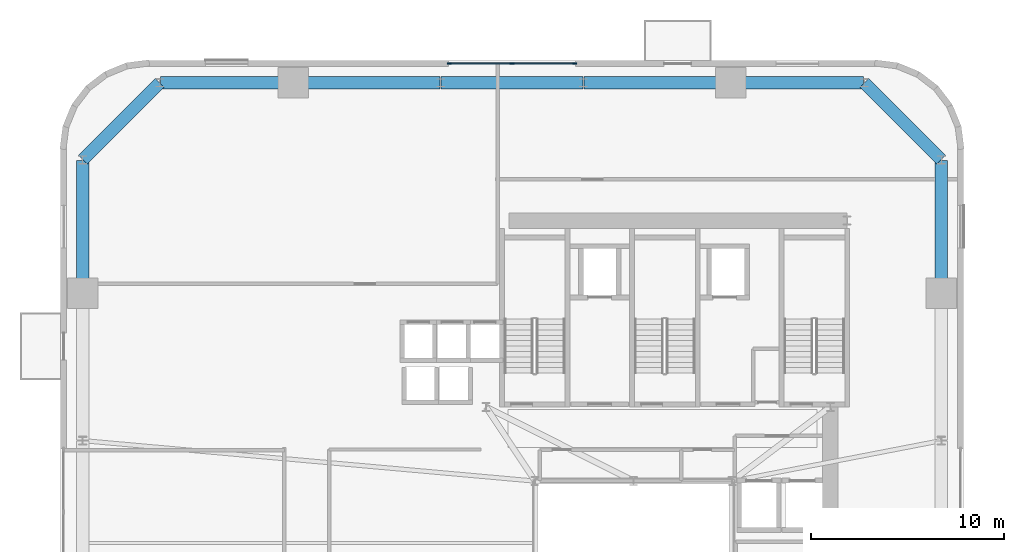
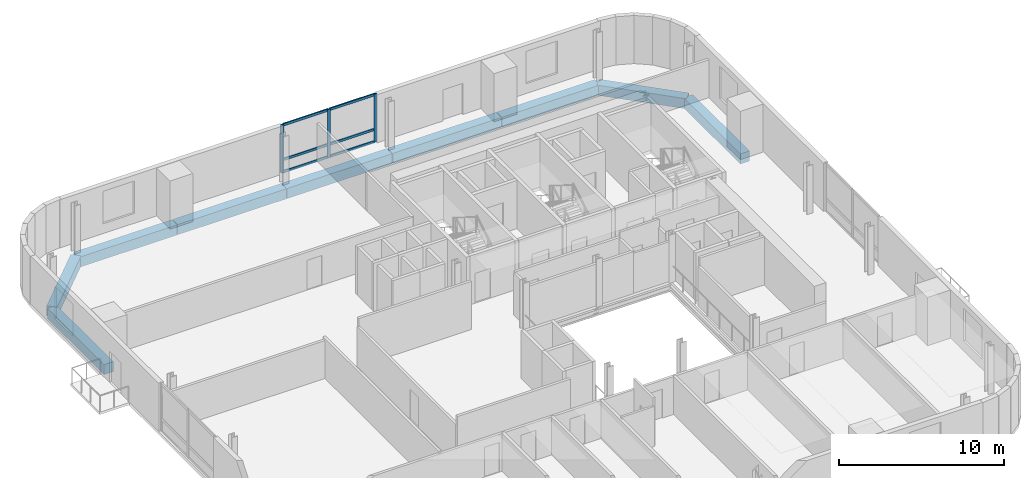
# One storey, part 4 of 14: 9 beams, 9 members, 1 element without a shape of its own.
"""IFC4 building model written with IfcOpenShell, lengths in metres."""

from ifc_helpers import new_model, si_unit, direction, frame, origin, origin_2d, place, context, subcontext, project, spatial, rectangle, extrude, source, transform, mapped, material, material_profile, profile_set, type_object, element, aggregate, save


model = new_model("IFC4")

# Units and contexts
model_context = context("Model", 3, precision=1e-05, world=origin(), true_north=direction((0.0, 1.0)))
body_context = subcontext(model_context, "Body", "Model", "MODEL_VIEW")
ifc_project = project(units=[si_unit("LENGTHUNIT", "METRE"), si_unit("AREAUNIT", "SQUARE_METRE"), si_unit("VOLUMEUNIT", "CUBIC_METRE"), si_unit("PLANEANGLEUNIT", "RADIAN"), si_unit("MASSUNIT", "GRAM", prefix="KILO")], contexts=[model_context])

# Site, building, storey
site_placement = place(None, origin())
site = spatial("IfcSite", under=ifc_project, at=site_placement, CompositionType="ELEMENT")
building_placement = place(site_placement, origin())
building = spatial("IfcBuilding", under=site, at=building_placement, Name="Vardaveli Station Tower", CompositionType="ELEMENT")
storey_placement = place(building_placement, frame((0.0, 0.0, 107.5)))
storey = spatial("IfcBuildingStorey", under=building, at=storey_placement, Name="L27", CompositionType="ELEMENT", Elevation=107.5)

# Beams
ifc_material_1 = material(Name="Precast concrete C45/55", Category="concrete")
ifc_material_profile_1 = material_profile(ifc_material_1, rectangle(XDim=0.64990234375, YDim=0.75, at=origin_2d()), Name="LPB 650x750")
ifc_profile_set_1 = profile_set([ifc_material_profile_1], Name="Precast concrete C45/55")
beam_type = type_object("IfcBeamType", Name="BM-LPB-750", PredefinedType="BEAM", material=ifc_profile_set_1)
shared_shape_1 = source(origin(), body_context, "Body", "SweptSolid", [
    extrude(rectangle(XDim=0.64990234375, YDim=0.75, at=origin_2d()), origin(), (0.0, 0.0, 1.0), 7.60009765625),
])
for number, where, z_axis, x_axis, name in (
    (1, (41.320068359375, 47.449951171875, -0.614990234375), (-1.0, 0.0, 0.0), (0.0, -1.0, 0.0), "RBM-L27-13"),
    (2, (26.280029296875, 47.449951171875, -0.614990234375), (-1.0, 0.0, 0.0), (0.0, -1.0, 0.0), "RBM-L27-15"),
):
    element("IfcBeam", number, at=place(storey_placement, frame(where, z_axis=z_axis, x_axis=x_axis)), inside=storey, type_object=beam_type, Name=name, PredefinedType="BEAM", context=body_context, shape_type="MappedRepresentation", body=[
        mapped(shared_shape_1, transform((0.0, 0.0, 0.0), scale=1.0)),
    ])
shared_shape_2 = source(origin(), body_context, "Body", "SweptSolid", [
    extrude(rectangle(XDim=0.64990234375, YDim=0.75, at=origin_2d()), origin(), (0.0, 0.0, 1.0), 7.35986328125),
])
beam_placement = place(storey_placement, frame((33.679931640625, 47.449951171875, -0.614990234375), z_axis=(-1.0, 0.0, 0.0), x_axis=(0.0, -1.0, 0.0)))
element("IfcBeam", 3, at=beam_placement, inside=storey, type_object=beam_type, Name="RBM-L27-14", PredefinedType="BEAM", context=body_context, shape_type="MappedRepresentation", body=[
    mapped(shared_shape_2, transform((0.0, 0.0, 0.0), scale=1.0)),
])
shared_shape_3 = source(origin(), body_context, "Body", "SweptSolid", [
    extrude(rectangle(XDim=0.64990234375, YDim=0.75, at=origin_2d()), origin(), (0.0, 0.0, 1.0), 6.869873046875),
])
for number, where, z_axis, x_axis, name in (
    (4, (52.25, 36.56005859375, -0.614990234375), (0.0, 1.0, 0.0), (-1.0, 0.0, 0.0), "RBM-L27-10"),
    (5, (48.22998046875, 47.449951171875, -0.614990234375), (-1.0, 0.0, 0.0), (0.0, -1.0, 0.0), "RBM-L27-12"),
    (6, (18.639892578125, 47.449951171875, -0.614990234375), (-1.0, 0.0, 0.0), (0.0, -1.0, 0.0), "RBM-L27-16"),
    (7, (7.75, 43.429931640625, -0.614990234375), (0.0, -1.0, 0.0), (1.0, 0.0, 0.0), "RBM-L27-18"),
):
    element("IfcBeam", number, at=place(storey_placement, frame(where, z_axis=z_axis, x_axis=x_axis)), inside=storey, type_object=beam_type, Name=name, PredefinedType="BEAM", context=body_context, shape_type="MappedRepresentation", body=[
        mapped(shared_shape_3, transform((0.0, 0.0, 0.0), scale=1.0)),
    ])
shared_shape_4 = source(origin(), body_context, "Body", "SweptSolid", [
    extrude(rectangle(XDim=0.64990234375, YDim=0.75, at=origin_2d()), origin(), (0.0, 0.0, 1.0), 5.61669921875),
])
for number, where, z_axis, x_axis, name in (
    (8, (52.23583984375, 43.464111328125, -0.614990234375), (-0.707106781187, 0.707106781187, 0.0), (-0.707106781187, -0.707106781187, 0.0), "RBM-L27-11"),
    (9, (11.73583984375, 47.435791015625, -0.614990234375), (-0.707106781187, -0.707106781187, 0.0), (0.707106781187, -0.707106781187, 0.0), "RBM-L27-17"),
):
    element("IfcBeam", number, at=place(storey_placement, frame(where, z_axis=z_axis, x_axis=x_axis)), inside=storey, type_object=beam_type, Name=name, PredefinedType="BEAM", context=body_context, shape_type="MappedRepresentation", body=[
        mapped(shared_shape_4, transform((0.0, 0.0, 0.0), scale=1.0)),
    ])

# Curtain wall, members
ifc_material_2 = material(Name="Travertine stone and solar-control glass", Category="masonry")
curtain_wall_type = type_object("IfcCurtainWallType", Name="CW-SYS-2", PredefinedType="NOTDEFINED", material=ifc_material_2)
curtain_wall_placement = place(storey_placement, origin())
curtain_wall = element("IfcCurtainWall", 10, at=curtain_wall_placement, inside=storey, type_object=curtain_wall_type, Name="CW-L27-N", PredefinedType="NOTDEFINED")
ifc_material_3 = material(Name="Anodised aluminium alloy 6063-T6", Category="aluminium")
ifc_material_profile_2 = material_profile(ifc_material_3, rectangle(XDim=0.0849609375, YDim=0.179931640625, at=origin_2d()), Name="CWT 85x180")
ifc_profile_set_2 = profile_set([ifc_material_profile_2], Name="Anodised aluminium alloy 6063-T6")
member_type_1 = type_object("IfcMemberType", Name="CW-SYS-2-TRAN", PredefinedType="NOTDEFINED", material=ifc_profile_set_2)
shared_shape_5 = source(origin(), body_context, "Body", "SweptSolid", [
    extrude(rectangle(XDim=0.0849609375, YDim=0.179931640625, at=origin_2d()), origin(), (0.0, 0.0, 1.0), 3.172607421875),
])
member_1_placement = place(storey_placement, frame((33.215087890625, 48.43994140625, 0.04248046875), z_axis=(-1.0, 0.0, 0.0), x_axis=(0.0, -1.0, 0.0)))
member_1 = element("IfcMember", 11, at=member_1_placement, type_object=member_type_1, Name="CW-2 transom 1.1", ObjectType="TRANSOM", PredefinedType="USERDEFINED", context=body_context, shape_type="MappedRepresentation", body=[
    mapped(shared_shape_5, transform((0.0, 0.0, 0.0), scale=1.0)),
])
member_2_placement = place(storey_placement, frame((33.215087890625, 48.43994140625, 0.949951171875), z_axis=(-1.0, 0.0, 0.0), x_axis=(0.0, -1.0, 0.0)))
member_2 = element("IfcMember", 12, at=member_2_placement, type_object=member_type_1, Name="CW-2 transom 1.2", ObjectType="TRANSOM", PredefinedType="USERDEFINED", context=body_context, shape_type="MappedRepresentation", body=[
    mapped(shared_shape_5, transform((0.0, 0.0, 0.0), scale=1.0)),
])
member_3_placement = place(storey_placement, frame((33.215087890625, 48.43994140625, 3.517578125), z_axis=(-1.0, 0.0, 0.0), x_axis=(0.0, -1.0, 0.0)))
member_3 = element("IfcMember", 13, at=member_3_placement, type_object=member_type_1, Name="CW-2 transom 1.3", ObjectType="TRANSOM", PredefinedType="USERDEFINED", context=body_context, shape_type="MappedRepresentation", body=[
    mapped(shared_shape_5, transform((0.0, 0.0, 0.0), scale=1.0)),
])
member_4_placement = place(storey_placement, frame((29.95751953125, 48.43994140625, 0.04248046875), z_axis=(-1.0, 0.0, 0.0), x_axis=(0.0, -1.0, 0.0)))
member_4 = element("IfcMember", 14, at=member_4_placement, type_object=member_type_1, Name="CW-2 transom 2.1", ObjectType="TRANSOM", PredefinedType="USERDEFINED", context=body_context, shape_type="MappedRepresentation", body=[
    mapped(shared_shape_5, transform((0.0, 0.0, 0.0), scale=1.0)),
])
member_5_placement = place(storey_placement, frame((29.95751953125, 48.43994140625, 0.949951171875), z_axis=(-1.0, 0.0, 0.0), x_axis=(0.0, -1.0, 0.0)))
member_5 = element("IfcMember", 15, at=member_5_placement, type_object=member_type_1, Name="CW-2 transom 2.2", ObjectType="TRANSOM", PredefinedType="USERDEFINED", context=body_context, shape_type="MappedRepresentation", body=[
    mapped(shared_shape_5, transform((0.0, 0.0, 0.0), scale=1.0)),
])
member_6_placement = place(storey_placement, frame((29.95751953125, 48.43994140625, 3.517578125), z_axis=(-1.0, 0.0, 0.0), x_axis=(0.0, -1.0, 0.0)))
member_6 = element("IfcMember", 16, at=member_6_placement, type_object=member_type_1, Name="CW-2 transom 2.3", ObjectType="TRANSOM", PredefinedType="USERDEFINED", context=body_context, shape_type="MappedRepresentation", body=[
    mapped(shared_shape_5, transform((0.0, 0.0, 0.0), scale=1.0)),
])
ifc_material_profile_3 = material_profile(ifc_material_3, rectangle(XDim=0.0849609375, YDim=0.219970703125, at=origin_2d()), Name="CWM 85x220")
ifc_profile_set_3 = profile_set([ifc_material_profile_3], Name="Anodised aluminium alloy 6063-T6")
member_type_2 = type_object("IfcMemberType", Name="CW-SYS-2-MULL", PredefinedType="MULLION", material=ifc_profile_set_3)
shared_shape_6 = source(origin(), body_context, "Body", "SweptSolid", [
    extrude(rectangle(XDim=0.0849609375, YDim=0.219970703125, at=origin_2d()), origin(), (0.0, 0.0, 1.0), 3.56005859375),
])
member_7_placement = place(storey_placement, frame((33.257568359375, 48.43994140625, 0.0), z_axis=(0.0, 0.0, 1.0), x_axis=(0.0, -1.0, 0.0)))
member_7 = element("IfcMember", 17, at=member_7_placement, type_object=member_type_2, Name="CW-2 mullion 1", PredefinedType="MULLION", context=body_context, shape_type="MappedRepresentation", body=[
    mapped(shared_shape_6, transform((0.0, 0.0, 0.0), scale=1.0)),
])
member_8_placement = place(storey_placement, frame((30.0, 48.43994140625, 0.0), z_axis=(0.0, 0.0, 1.0), x_axis=(0.0, -1.0, 0.0)))
member_8 = element("IfcMember", 18, at=member_8_placement, type_object=member_type_2, Name="CW-2 mullion 2", PredefinedType="MULLION", context=body_context, shape_type="MappedRepresentation", body=[
    mapped(shared_shape_6, transform((0.0, 0.0, 0.0), scale=1.0)),
])
member_9_placement = place(storey_placement, frame((26.742431640625, 48.43994140625, 0.0), z_axis=(0.0, 0.0, 1.0), x_axis=(0.0, -1.0, 0.0)))
member_9 = element("IfcMember", 19, at=member_9_placement, type_object=member_type_2, Name="CW-2 mullion 3", PredefinedType="MULLION", context=body_context, shape_type="MappedRepresentation", body=[
    mapped(shared_shape_6, transform((0.0, 0.0, 0.0), scale=1.0)),
])
aggregate(curtain_wall, [member_7, member_8, member_9, member_1, member_2, member_3, member_4, member_5, member_6])

save(model, "model.ifc")
